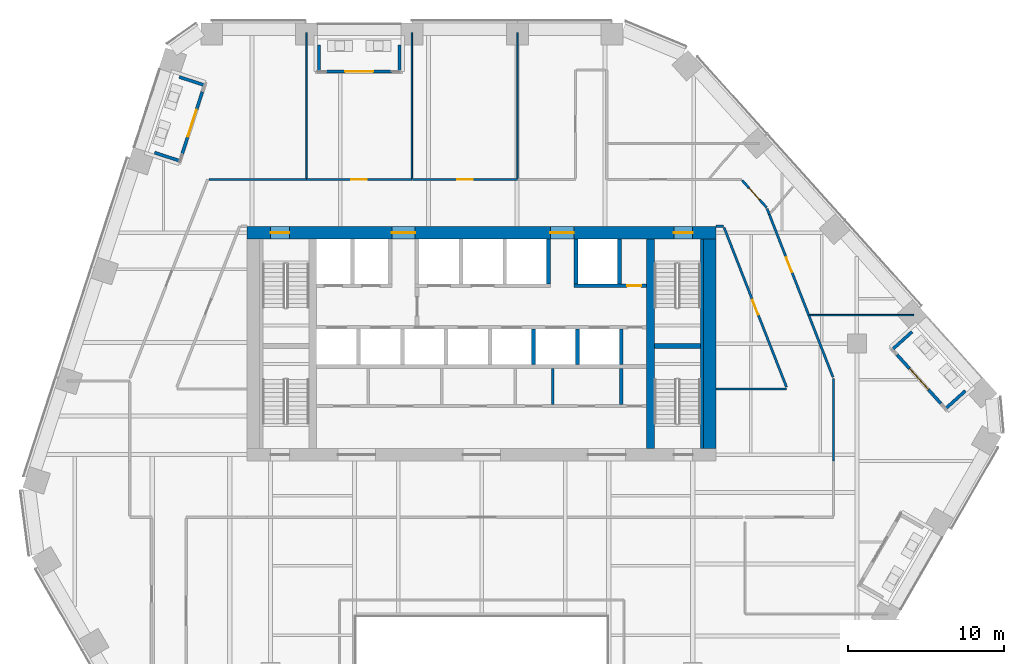
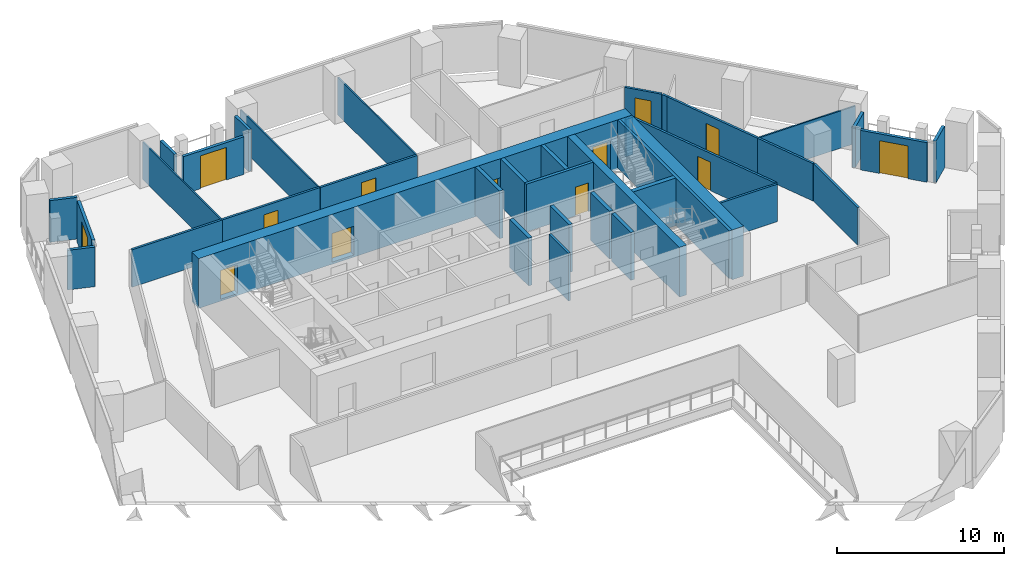
# One storey, part 21 of 26: 38 walls, 13 doors, 13 openings.
"""IFC4 building model written with IfcOpenShell, lengths in metres."""

from ifc_helpers import new_model, si_unit, direction, frame, frame_2d, origin, place, context, subcontext, project, spatial, rectangle, extrude, material, layer, layer_set, type_object, element, fill, save


model = new_model("IFC4")

# Units and contexts
model_context = context("Model", 3, precision=1e-05, world=origin(), true_north=direction((0.0, 1.0)))
body_context = subcontext(model_context, "Body", "Model", "MODEL_VIEW")
ifc_project = project(units=[si_unit("LENGTHUNIT", "METRE"), si_unit("AREAUNIT", "SQUARE_METRE"), si_unit("VOLUMEUNIT", "CUBIC_METRE"), si_unit("PLANEANGLEUNIT", "RADIAN"), si_unit("MASSUNIT", "GRAM", prefix="KILO")], contexts=[model_context])

# Site, building, storey
site_placement = place(None, origin())
site = spatial("IfcSite", under=ifc_project, at=site_placement, CompositionType="ELEMENT")
building_placement = place(site_placement, origin())
building = spatial("IfcBuilding", under=site, at=building_placement, Name="Isthmus Gate Tower", CompositionType="ELEMENT")
storey_placement = place(building_placement, frame((0.0, 0.0, 129.800048828125)))
storey = spatial("IfcBuildingStorey", under=building, at=storey_placement, Name="L31", CompositionType="ELEMENT", Elevation=129.800048828125)

# Wall
ifc_material_1 = material(Name="Gypsum board on steel studs, fire-rated", Category="steel")
ifc_layer_1 = layer(ifc_material_1, 0.14990234375)
ifc_layer_set_1 = layer_set([ifc_layer_1], Name="CORRIDOR WALL 150 60 MIN")
wall_type_1 = type_object("IfcWallType", Name="CORRIDOR WALL 150 60 MIN", PredefinedType="PARTITIONING", material=ifc_layer_set_1)
wall_1_placement = place(storey_placement, frame((15.47607421875, 15.0, 0.0), z_axis=(0.0, 0.0, 1.0), x_axis=(-1.0, 0.0, 0.0)))
element("IfcWall", 1, at=wall_1_placement, inside=storey, type_object=wall_type_1, Name="L31 Corridor Wall 150 60 Min", PredefinedType="PARTITIONING", context=body_context, shape_type="SweptSolid", body=[
    extrude(rectangle(XDim=0.47607421875, YDim=0.14990234375, at=frame_2d((0.238037109375, 0.0))), origin(), (0.0, 0.0, 1.0), 2.7412109375),
])

# Wall, opening, door
wall_2_placement = place(storey_placement, frame((19.5, 4.717041015625, 0.0), z_axis=(0.0, 0.0, 1.0), x_axis=(-0.364410260026, 0.931238509936, 0.0)))
wall_2 = element("IfcWall", 2, at=wall_2_placement, inside=storey, type_object=wall_type_1, Name="L31 Corridor Wall 150 60 Min", PredefinedType="PARTITIONING", context=body_context, shape_type="SweptSolid", body=[
    extrude(rectangle(XDim=10.96728515625, YDim=0.14990234375, at=frame_2d((5.483642578125, 0.0))), origin(), (0.0, 0.0, 1.0), 2.7412109375),
])
opening_1_placement = place(wall_2_placement, frame((4.983642578125, 0.0, 0.0)))
opening_1 = element("IfcOpeningElement", 3, at=opening_1_placement, cuts=wall_2, Name="Opening DT-T3A-06", PredefinedType="OPENING", context=body_context, shape_type="SweptSolid", body=[
    extrude(rectangle(XDim=1.0, YDim=2.10009765625, at=frame_2d((0.5, 1.050048828125))), frame((0.0, 0.0849609375, 0.0), z_axis=(0.0, -1.0, 0.0), x_axis=(1.0, 0.0, 0.0)), (0.0, 0.0, 1.0), 0.169921875),
])
ifc_material_2 = material(Name="Solid core timber door leaf, fire-rated", Category="wood")
door_type_1 = type_object("IfcDoorType", Name="FIRE DOOR ROOM 1000 X 2100 60 MIN", OperationType="SINGLE_SWING_LEFT", PredefinedType="DOOR", material=ifc_material_2)
door_1_placement = place(opening_1_placement, origin())
door_1 = element("IfcDoor", 4, at=door_1_placement, inside=storey, type_object=door_type_1, Name="L31 room door", OperationType="SINGLE_SWING_RIGHT", OverallHeight=2.10009765625, OverallWidth=1.0, PredefinedType="DOOR", context=body_context, shape_type="SweptSolid", body=[
    extrude(rectangle(XDim=1.0, YDim=2.10009765625, at=frame_2d((0.5, 1.050048828125))), frame((0.0, 0.02490234375, 0.0), z_axis=(0.0, -1.0, 0.0), x_axis=(1.0, 0.0, 0.0)), (0.0, 0.0, 1.0), 0.050048828125),
])
fill(opening_1, door_1)

# Wall
wall_3_placement = place(storey_placement, frame((22.5, 5.282958984375, 0.0), z_axis=(0.0, 0.0, 1.0), x_axis=(0.0, -1.0, 0.0)))
element("IfcWall", 5, at=wall_3_placement, inside=storey, type_object=wall_type_1, Name="L31 Corridor Wall 150 60 Min", PredefinedType="PARTITIONING", context=body_context, shape_type="SweptSolid", body=[
    extrude(rectangle(XDim=5.282958984375, YDim=0.14990234375, at=frame_2d((2.6416015625, 0.0))), origin(), (0.0, 0.0, 1.0), 2.7412109375),
])

# Wall, opening, door
wall_4_placement = place(storey_placement, frame((-11.2119140625, 18.0, 0.0), z_axis=(0.0, 0.0, 1.0), x_axis=(1.0, 0.0, 0.0)))
wall_4 = element("IfcWall", 6, at=wall_4_placement, inside=storey, type_object=wall_type_1, Name="L31 Corridor Wall 150 60 Min", PredefinedType="PARTITIONING", context=body_context, shape_type="SweptSolid", body=[
    extrude(rectangle(XDim=6.75, YDim=0.14990234375, at=frame_2d((3.375, 0.0))), origin(), (0.0, 0.0, 1.0), 2.7412109375),
])
opening_2_placement = place(wall_4_placement, frame((2.875, 0.0, 0.0)))
opening_2 = element("IfcOpeningElement", 7, at=opening_2_placement, cuts=wall_4, Name="Opening DT-T3A-01", PredefinedType="OPENING", context=body_context, shape_type="SweptSolid", body=[
    extrude(rectangle(XDim=1.0, YDim=2.10009765625, at=frame_2d((0.5, 1.050048828125))), frame((0.0, 0.0849609375, 0.0), z_axis=(0.0, -1.0, 0.0), x_axis=(1.0, 0.0, 0.0)), (0.0, 0.0, 1.0), 0.169921875),
])
door_2_placement = place(opening_2_placement, origin())
door_2 = element("IfcDoor", 8, at=door_2_placement, inside=storey, type_object=door_type_1, Name="L31 room door", OperationType="SINGLE_SWING_RIGHT", OverallHeight=2.10009765625, OverallWidth=1.0, PredefinedType="DOOR", context=body_context, shape_type="SweptSolid", body=[
    extrude(rectangle(XDim=1.0, YDim=2.10009765625, at=frame_2d((0.5, 1.050048828125))), frame((0.0, 0.02490234375, 0.0), z_axis=(0.0, -1.0, 0.0), x_axis=(1.0, 0.0, 0.0)), (0.0, 0.0, 1.0), 0.050048828125),
])
fill(opening_2, door_2)

wall_5_placement = place(storey_placement, frame((-4.412109375, 18.0, 0.0), z_axis=(0.0, 0.0, 1.0), x_axis=(1.0, 0.0, 0.0)))
wall_5 = element("IfcWall", 9, at=wall_5_placement, inside=storey, type_object=wall_type_1, Name="L31 Corridor Wall 150 60 Min", PredefinedType="PARTITIONING", context=body_context, shape_type="SweptSolid", body=[
    extrude(rectangle(XDim=6.7001953125, YDim=0.14990234375, at=frame_2d((3.35009765625, 0.0))), origin(), (0.0, 0.0, 1.0), 2.7412109375),
])
opening_3_placement = place(wall_5_placement, frame((2.85009765625, 0.0, 0.0)))
opening_3 = element("IfcOpeningElement", 10, at=opening_3_placement, cuts=wall_5, Name="Opening DT-T3A-02", PredefinedType="OPENING", context=body_context, shape_type="SweptSolid", body=[
    extrude(rectangle(XDim=1.0, YDim=2.10009765625, at=frame_2d((0.5, 1.050048828125))), frame((0.0, 0.0849609375, 0.0), z_axis=(0.0, -1.0, 0.0), x_axis=(1.0, 0.0, 0.0)), (0.0, 0.0, 1.0), 0.169921875),
])
door_3_placement = place(opening_3_placement, origin())
door_3 = element("IfcDoor", 11, at=door_3_placement, inside=storey, type_object=door_type_1, Name="L31 room door", OperationType="SINGLE_SWING_RIGHT", OverallHeight=2.10009765625, OverallWidth=1.0, PredefinedType="DOOR", context=body_context, shape_type="SweptSolid", body=[
    extrude(rectangle(XDim=1.0, YDim=2.10009765625, at=frame_2d((0.5, 1.050048828125))), frame((0.0, 0.02490234375, 0.0), z_axis=(0.0, -1.0, 0.0), x_axis=(1.0, 0.0, 0.0)), (0.0, 0.0, 1.0), 0.050048828125),
])
fill(opening_3, door_3)

# Walls
wall_6_placement = place(storey_placement, frame((-17.448974609375, 18.0, 0.0), z_axis=(0.0, 0.0, 1.0), x_axis=(1.0, 0.0, 0.0)))
element("IfcWall", 12, at=wall_6_placement, inside=storey, type_object=wall_type_1, Name="L31 Corridor Wall 150 60 Min", PredefinedType="PARTITIONING", context=body_context, shape_type="SweptSolid", body=[
    extrude(rectangle(XDim=6.237060546875, YDim=0.14990234375, at=frame_2d((3.11865234375, 0.0))), origin(), (0.0, 0.0, 1.0), 2.7412109375),
])
wall_7_placement = place(storey_placement, frame((15.0, 4.60009765625, 0.0), z_axis=(0.0, 0.0, 1.0), x_axis=(1.0, 0.0, 0.0)))
element("IfcWall", 13, at=wall_7_placement, inside=storey, type_object=wall_type_1, Name="L31 Corridor Wall 150 60 Min", PredefinedType="PARTITIONING", context=body_context, shape_type="SweptSolid", body=[
    extrude(rectangle(XDim=4.5, YDim=0.14990234375, at=frame_2d((2.25, 0.0))), origin(), (0.0, 0.0, 1.0), 2.7412109375),
])
wall_8_placement = place(storey_placement, frame((20.9189453125, 9.322998046875, 0.0), z_axis=(0.0, 0.0, 1.0), x_axis=(0.364429576393, -0.931230950865, 0.0)))
element("IfcWall", 14, at=wall_8_placement, inside=storey, type_object=wall_type_1, Name="L31 Corridor Wall 150 60 Min", PredefinedType="PARTITIONING", context=body_context, shape_type="SweptSolid", body=[
    extrude(rectangle(XDim=4.263427734375, YDim=0.14990234375, at=frame_2d((2.1318359375, 0.0))), origin(), (0.0, 0.0, 1.0), 2.7412109375),
])

# Wall, opening, door
wall_9_placement = place(storey_placement, frame((18.39990234375, 15.760009765625, 0.0), z_axis=(0.0, 0.0, 1.0), x_axis=(0.364425982763, -0.931232357195, 0.0)))
wall_9 = element("IfcWall", 15, at=wall_9_placement, inside=storey, type_object=wall_type_1, Name="L31 Corridor Wall 150 60 Min", PredefinedType="PARTITIONING", context=body_context, shape_type="SweptSolid", body=[
    extrude(rectangle(XDim=6.912353515625, YDim=0.14990234375, at=frame_2d((3.4560546875, 0.0))), origin(), (0.0, 0.0, 1.0), 2.7412109375),
])
opening_4_placement = place(wall_9_placement, frame((2.956298828125, 0.0, 0.0)))
opening_4 = element("IfcOpeningElement", 16, at=opening_4_placement, cuts=wall_9, Name="Opening DT-T3A-11", PredefinedType="OPENING", context=body_context, shape_type="SweptSolid", body=[
    extrude(rectangle(XDim=1.0, YDim=2.10009765625, at=frame_2d((0.5, 1.050048828125))), frame((0.0, 0.0849609375, 0.0), z_axis=(0.0, -1.0, 0.0), x_axis=(1.0, 0.0, 0.0)), (0.0, 0.0, 1.0), 0.169921875),
])
door_4_placement = place(opening_4_placement, origin())
door_4 = element("IfcDoor", 17, at=door_4_placement, inside=storey, type_object=door_type_1, Name="L31 room door", OperationType="SINGLE_SWING_RIGHT", OverallHeight=2.10009765625, OverallWidth=1.0, PredefinedType="DOOR", context=body_context, shape_type="SweptSolid", body=[
    extrude(rectangle(XDim=1.0, YDim=2.10009765625, at=frame_2d((0.5, 1.050048828125))), frame((0.0, 0.02490234375, 0.0), z_axis=(0.0, -1.0, 0.0), x_axis=(1.0, 0.0, 0.0)), (0.0, 0.0, 1.0), 0.050048828125),
])
fill(opening_4, door_4)

wall_10_placement = place(storey_placement, frame((16.66015625, 17.9443359375, 0.0), z_axis=(0.0, 0.0, 1.0), x_axis=(0.669103043777, -0.743169642012, 0.0)))
wall_10 = element("IfcWall", 18, at=wall_10_placement, inside=storey, type_object=wall_type_1, Name="L31 Corridor Wall 150 60 Min", PredefinedType="PARTITIONING", context=body_context, shape_type="SweptSolid", body=[
    extrude(rectangle(XDim=2.34033203125, YDim=0.14990234375, at=frame_2d((1.170166015625, 0.0))), origin(), (0.0, 0.0, 1.0), 2.7412109375),
])
opening_5_placement = place(wall_10_placement, frame((0.670166015625, 0.0, 0.0)))
opening_5 = element("IfcOpeningElement", 19, at=opening_5_placement, cuts=wall_10, Name="Opening DT-T3A-12", PredefinedType="OPENING", context=body_context, shape_type="SweptSolid", body=[
    extrude(rectangle(XDim=1.0, YDim=2.10009765625, at=frame_2d((0.5, 1.050048828125))), frame((0.0, 0.0849609375, 0.0), z_axis=(0.0, -1.0, 0.0), x_axis=(1.0, 0.0, 0.0)), (0.0, 0.0, 1.0), 0.169921875),
])
door_5_placement = place(opening_5_placement, origin())
door_5 = element("IfcDoor", 20, at=door_5_placement, inside=storey, type_object=door_type_1, Name="L31 room door", OperationType="SINGLE_SWING_RIGHT", OverallHeight=2.10009765625, OverallWidth=1.0, PredefinedType="DOOR", context=body_context, shape_type="SweptSolid", body=[
    extrude(rectangle(XDim=1.0, YDim=2.10009765625, at=frame_2d((0.5, 1.050048828125))), frame((0.0, 0.02490234375, 0.0), z_axis=(0.0, -1.0, 0.0), x_axis=(1.0, 0.0, 0.0)), (0.0, 0.0, 1.0), 0.050048828125),
])
fill(opening_5, door_5)

# Wall
wall_11_placement = place(storey_placement, frame((18.25341796875, 16.135009765625, 0.0), z_axis=(0.0, 0.0, 1.0), x_axis=(0.36385052714, -0.93145734948, 0.0)))
element("IfcWall", 21, at=wall_11_placement, inside=storey, type_object=wall_type_1, Name="L31 Corridor Wall 150 60 Min", PredefinedType="PARTITIONING", context=body_context, shape_type="SweptSolid", body=[
    extrude(rectangle(XDim=0.402587890625, YDim=0.14990234375, at=frame_2d((0.201171875, 0.0))), origin(), (0.0, 0.0, 1.0), 2.7412109375),
])

# Wall, opening, door
ifc_material_3 = material(Name="Precast concrete C40/50", Category="concrete")
ifc_layer_2 = layer(ifc_material_3, 0.199951171875)
ifc_layer_set_2 = layer_set([ifc_layer_2], Name="LOGGIA WALL 200")
wall_type_2 = type_object("IfcWallType", Name="LOGGIA WALL 200", PredefinedType="SOLIDWALL", material=ifc_layer_set_2)
wall_12_placement = place(storey_placement, frame((-5.73681640625, 24.89990234375, 0.0), z_axis=(0.0, 0.0, 1.0), x_axis=(-1.0, 0.0, 0.0)))
wall_12 = element("IfcWall", 22, at=wall_12_placement, inside=storey, type_object=wall_type_2, Name="LOGGIA BACK WALL", PredefinedType="SOLIDWALL", context=body_context, shape_type="SweptSolid", body=[
    extrude(rectangle(XDim=4.199951171875, YDim=0.199951171875, at=frame_2d((2.10009765625, 0.0))), origin(), (0.0, 0.0, 1.0), 2.750732421875),
])
opening_6_placement = place(wall_12_placement, frame((1.199951171875, 0.0, 0.0)))
opening_6 = element("IfcOpeningElement", 23, at=opening_6_placement, cuts=wall_12, Name="Opening DE31-01", PredefinedType="OPENING", context=body_context, shape_type="SweptSolid", body=[
    extrude(rectangle(XDim=1.800048828125, YDim=2.39990234375, at=frame_2d((0.89990234375, 1.199951171875))), frame((0.0, 0.10986328125, 0.0), z_axis=(0.0, -1.0, 0.0), x_axis=(1.0, 0.0, 0.0)), (0.0, 0.0, 1.0), 0.219970703125),
])
ifc_material_4 = material(Name="Aluminium, pale champagne anodised, laminated glass", Category="aluminium")
door_type_2 = type_object("IfcDoorType", Name="LOGGIA DOOR SLIDING 1800 X 2400", OperationType="DOUBLE_DOOR_SLIDING", PredefinedType="DOOR", material=ifc_material_4)
door_6_placement = place(opening_6_placement, origin())
door_6 = element("IfcDoor", 24, at=door_6_placement, inside=storey, type_object=door_type_2, Name="DOOR DE31-01", OperationType="SINGLE_SWING_LEFT", OverallHeight=2.39990234375, OverallWidth=1.800048828125, PredefinedType="DOOR", context=body_context, shape_type="SweptSolid", body=[
    extrude(rectangle(XDim=1.800048828125, YDim=2.39990234375, at=frame_2d((0.89990234375, 1.199951171875))), frame((0.0, 0.02490234375, 0.0), z_axis=(0.0, -1.0, 0.0), x_axis=(1.0, 0.0, 0.0)), (0.0, 0.0, 1.0), 0.050048828125),
])
fill(opening_6, door_6)

# Walls
for number, where, z_axis, x_axis, name in (
    (25, (-5.26171875, 26.60009765625, 0.0), (0.0, 0.0, 1.0), (0.0, -1.0, 0.0), "LOGGIA SIDE WALL"),
    (26, (-10.411865234375, 26.60009765625, 0.0), (0.0, 0.0, 1.0), (0.0, -1.0, 0.0), "LOGGIA SIDE WALL"),
):
    element("IfcWall", number, at=place(storey_placement, frame(where, z_axis=z_axis, x_axis=x_axis)), inside=storey, type_object=wall_type_2, Name=name, PredefinedType="SOLIDWALL", context=body_context, shape_type="SweptSolid", body=[
        extrude(rectangle(XDim=1.68408203125, YDim=0.199951171875, at=frame_2d((0.842041015625, 0.0))), origin(), (0.0, 0.0, 1.0), 3.050048828125),
    ])

# Wall, opening, door
wall_13_placement = place(storey_placement, frame((-17.86767578125, 23.60693359375, 0.0), z_axis=(0.0, 0.0, 1.0), x_axis=(-0.308999325213, -0.951062257173, 0.0)))
wall_13 = element("IfcWall", 27, at=wall_13_placement, inside=storey, type_object=wall_type_2, Name="LOGGIA BACK WALL", PredefinedType="SOLIDWALL", context=body_context, shape_type="SweptSolid", body=[
    extrude(rectangle(XDim=4.2001953125, YDim=0.199951171875, at=frame_2d((2.10009765625, 0.0))), origin(), (0.0, 0.0, 1.0), 3.050048828125),
])
opening_7_placement = place(wall_13_placement, frame((1.199951171875, 0.0, 0.0)))
opening_7 = element("IfcOpeningElement", 28, at=opening_7_placement, cuts=wall_13, Name="Opening DE31-02", PredefinedType="OPENING", context=body_context, shape_type="SweptSolid", body=[
    extrude(rectangle(XDim=1.800048828125, YDim=2.39990234375, at=frame_2d((0.89990234375, 1.199951171875))), frame((0.0, 0.10986328125, 0.0), z_axis=(0.0, -1.0, 0.0), x_axis=(1.0, 0.0, 0.0)), (0.0, 0.0, 1.0), 0.219970703125),
])
door_7_placement = place(opening_7_placement, origin())
door_7 = element("IfcDoor", 29, at=door_7_placement, inside=storey, type_object=door_type_2, Name="DOOR DE31-02", OperationType="SINGLE_SWING_LEFT", OverallHeight=2.39990234375, OverallWidth=1.800048828125, PredefinedType="DOOR", context=body_context, shape_type="SweptSolid", body=[
    extrude(rectangle(XDim=1.800048828125, YDim=2.39990234375, at=frame_2d((0.89990234375, 1.199951171875))), frame((0.0, 0.02490234375, 0.0), z_axis=(0.0, -1.0, 0.0), x_axis=(1.0, 0.0, 0.0)), (0.0, 0.0, 1.0), 0.050048828125),
])
fill(opening_7, door_7)

# Walls
wall_14_placement = place(storey_placement, frame((-19.346923828125, 24.5556640625, 0.0), z_axis=(0.0, 0.0, 1.0), x_axis=(0.951076677115, -0.308954938862, 0.0)))
element("IfcWall", 30, at=wall_14_placement, inside=storey, type_object=wall_type_2, Name="LOGGIA SIDE WALL", PredefinedType="SOLIDWALL", context=body_context, shape_type="SweptSolid", body=[
    extrude(rectangle(XDim=1.683837890625, YDim=0.199951171875, at=frame_2d((0.841796875, 0.0))), origin(), (0.0, 0.0, 1.0), 3.050048828125),
])
wall_15_placement = place(storey_placement, frame((-20.919921875, 19.714111328125, 0.0), z_axis=(0.0, 0.0, 1.0), x_axis=(0.951034068731, -0.309086072338, 0.0)))
element("IfcWall", 31, at=wall_15_placement, inside=storey, type_object=wall_type_2, Name="LOGGIA SIDE WALL", PredefinedType="SOLIDWALL", context=body_context, shape_type="SweptSolid", body=[
    extrude(rectangle(XDim=1.68408203125, YDim=0.199951171875, at=frame_2d((0.842041015625, 0.0))), origin(), (0.0, 0.0, 1.0), 2.896728515625),
])

# Wall, opening, door
wall_16_placement = place(storey_placement, frame((29.3779296875, 3.67041015625, 0.0), z_axis=(0.0, 0.0, 1.0), x_axis=(-0.669109235636, 0.743164067206, 0.0)))
wall_16 = element("IfcWall", 32, at=wall_16_placement, inside=storey, type_object=wall_type_2, Name="LOGGIA BACK WALL", PredefinedType="SOLIDWALL", context=body_context, shape_type="SweptSolid", body=[
    extrude(rectangle(XDim=4.199951171875, YDim=0.199951171875, at=frame_2d((2.10009765625, 0.0))), origin(), (0.0, 0.0, 1.0), 2.89990234375),
])
opening_8_placement = place(wall_16_placement, frame((1.199951171875, 0.0, 0.0)))
opening_8 = element("IfcOpeningElement", 33, at=opening_8_placement, cuts=wall_16, Name="Opening DE31-05", PredefinedType="OPENING", context=body_context, shape_type="SweptSolid", body=[
    extrude(rectangle(XDim=1.800048828125, YDim=2.39990234375, at=frame_2d((0.89990234375, 1.199951171875))), frame((0.0, 0.10986328125, 0.0), z_axis=(0.0, -1.0, 0.0), x_axis=(1.0, 0.0, 0.0)), (0.0, 0.0, 1.0), 0.219970703125),
])
door_8_placement = place(opening_8_placement, origin())
door_8 = element("IfcDoor", 34, at=door_8_placement, inside=storey, type_object=door_type_2, Name="DOOR DE31-05", OperationType="SINGLE_SWING_LEFT", OverallHeight=2.39990234375, OverallWidth=1.800048828125, PredefinedType="DOOR", context=body_context, shape_type="SweptSolid", body=[
    extrude(rectangle(XDim=1.800048828125, YDim=2.39990234375, at=frame_2d((0.89990234375, 1.199951171875))), frame((0.0, 0.02490234375, 0.0), z_axis=(0.0, -1.0, 0.0), x_axis=(1.0, 0.0, 0.0)), (0.0, 0.0, 1.0), 0.050048828125),
])
fill(opening_8, door_8)

# Walls
wall_17_placement = place(storey_placement, frame((30.939453125, 4.47705078125, 0.0), z_axis=(0.0, 0.0, 1.0), x_axis=(-0.743106699699, -0.6691729469, 0.0)))
element("IfcWall", 35, at=wall_17_placement, inside=storey, type_object=wall_type_2, Name="LOGGIA SIDE WALL", PredefinedType="SOLIDWALL", context=body_context, shape_type="SweptSolid", body=[
    extrude(rectangle(XDim=1.68408203125, YDim=0.199951171875, at=frame_2d((0.842041015625, 0.0))), origin(), (0.0, 0.0, 1.0), 3.050048828125),
])
wall_18_placement = place(storey_placement, frame((27.532958984375, 8.26025390625, 0.0), z_axis=(0.0, 0.0, 1.0), x_axis=(-0.743106699699, -0.6691729469, 0.0)))
element("IfcWall", 36, at=wall_18_placement, inside=storey, type_object=wall_type_2, Name="LOGGIA SIDE WALL", PredefinedType="SOLIDWALL", context=body_context, shape_type="SweptSolid", body=[
    extrude(rectangle(XDim=1.68408203125, YDim=0.199951171875, at=frame_2d((0.842041015625, 0.0))), origin(), (0.0, 0.0, 1.0), 2.966552734375),
])
ifc_material_5 = material(Name="Concrete f'c 60 MPa", Category="concrete")
ifc_layer_3 = layer(ifc_material_5, 0.5)
ifc_layer_set_3 = layer_set([ifc_layer_3], Name="RC CORE SPINE WALL 500 F'C 60")
wall_type_3 = type_object("IfcWallType", Name="RC CORE SPINE WALL 500 F'C 60", PredefinedType="SOLIDWALL", material=ifc_layer_set_3)
wall_19_placement = place(storey_placement, frame((10.800048828125, 0.800048828125, -0.150146484375), z_axis=(0.0, 0.0, 1.0), x_axis=(0.0, 1.0, 0.0)))
element("IfcWall", 37, at=wall_19_placement, inside=storey, type_object=wall_type_3, Name="str-corewall-L31-SPE", PredefinedType="SOLIDWALL", context=body_context, shape_type="SweptSolid", body=[
    extrude(rectangle(XDim=13.39990234375, YDim=0.5, at=frame_2d((6.699951171875, 0.0))), origin(), (0.0, 0.0, 1.0), 3.650146484375),
])

# Wall, openings, doors
ifc_material_6 = material(Name="Concrete f'c 60 MPa", Category="concrete")
ifc_layer_4 = layer(ifc_material_6, 0.800048828125)
ifc_layer_set_4 = layer_set([ifc_layer_4], Name="RC CORE WALL 800 F'C 60")
wall_type_4 = type_object("IfcWallType", Name="RC CORE WALL 800 F'C 60", PredefinedType="SOLIDWALL", material=ifc_layer_set_4)
wall_20_placement = place(storey_placement, frame((-15.0, 14.60009765625, -0.150146484375), z_axis=(0.0, 0.0, 1.0), x_axis=(1.0, 0.0, 0.0)))
wall_20 = element("IfcWall", 38, at=wall_20_placement, inside=storey, type_object=wall_type_4, Name="str-corewall-L31-N", PredefinedType="SOLIDWALL", context=body_context, shape_type="SweptSolid", body=[
    extrude(rectangle(XDim=30.0, YDim=0.800048828125, at=frame_2d((15.0, 0.0))), origin(), (0.0, 0.0, 1.0), 3.650146484375),
])
opening_9_placement = place(wall_20_placement, frame((9.25, 0.0, 0.14990234375)))
opening_9 = element("IfcOpeningElement", 39, at=opening_9_placement, cuts=wall_20, Name="Opening DC-A10-13", PredefinedType="OPENING", context=body_context, shape_type="SweptSolid", body=[
    extrude(rectangle(XDim=1.5, YDim=2.10009765625, at=frame_2d((0.75, 1.050048828125))), frame((0.0, 0.409912109375, 0.0), z_axis=(0.0, -1.0, 0.0), x_axis=(1.0, 0.0, 0.0)), (0.0, 0.0, 1.0), 0.820068359375),
])
opening_10_placement = place(wall_20_placement, frame((19.39990234375, 0.0, 0.14990234375)))
opening_10 = element("IfcOpeningElement", 40, at=opening_10_placement, cuts=wall_20, Name="Opening DC-A10-14", PredefinedType="OPENING", context=body_context, shape_type="SweptSolid", body=[
    extrude(rectangle(XDim=1.5, YDim=2.10009765625, at=frame_2d((0.75, 1.050048828125))), frame((0.0, 0.409912109375, 0.0), z_axis=(0.0, -1.0, 0.0), x_axis=(1.0, 0.0, 0.0)), (0.0, 0.0, 1.0), 0.820068359375),
])
opening_11_placement = place(wall_20_placement, frame((1.5, 0.0, 0.14990234375)))
opening_11 = element("IfcOpeningElement", 41, at=opening_11_placement, cuts=wall_20, Name="Opening DC-A10-15", PredefinedType="OPENING", context=body_context, shape_type="SweptSolid", body=[
    extrude(rectangle(XDim=1.199951171875, YDim=2.10009765625, at=frame_2d((0.60009765625, 1.050048828125))), frame((0.0, 0.409912109375, 0.0), z_axis=(0.0, -1.0, 0.0), x_axis=(1.0, 0.0, 0.0)), (0.0, 0.0, 1.0), 0.820068359375),
])
opening_12_placement = place(wall_20_placement, frame((27.300048828125, 0.0, 0.14990234375)))
opening_12 = element("IfcOpeningElement", 42, at=opening_12_placement, cuts=wall_20, Name="Opening DC-A10-16", PredefinedType="OPENING", context=body_context, shape_type="SweptSolid", body=[
    extrude(rectangle(XDim=1.199951171875, YDim=2.10009765625, at=frame_2d((0.60009765625, 1.050048828125))), frame((0.0, 0.409912109375, 0.0), z_axis=(0.0, -1.0, 0.0), x_axis=(1.0, 0.0, 0.0)), (0.0, 0.0, 1.0), 0.820068359375),
])
ifc_material_7 = material(Name="Steel door leaf, fire-rated", Category="steel")
door_type_3 = type_object("IfcDoorType", Name="LOBBY FIRE DOOR 1500 X 2100 60 MIN", OperationType="DOUBLE_DOOR_SINGLE_SWING", PredefinedType="DOOR", material=ifc_material_7)
door_9_placement = place(opening_10_placement, origin())
door_9 = element("IfcDoor", 43, at=door_9_placement, inside=storey, type_object=door_type_3, Name="Lobby Door PN-E", OperationType="DOUBLE_DOOR_SINGLE_SWING", OverallHeight=2.10009765625, OverallWidth=1.5, PredefinedType="DOOR", context=body_context, shape_type="SweptSolid", body=[
    extrude(rectangle(XDim=1.5, YDim=2.10009765625, at=frame_2d((0.75, 1.050048828125))), frame((0.0, 0.02490234375, 0.0), z_axis=(0.0, -1.0, 0.0), x_axis=(1.0, 0.0, 0.0)), (0.0, 0.0, 1.0), 0.050048828125),
])
fill(opening_10, door_9)
ifc_material_8 = material(Name="Steel door leaf, fire-rated", Category="steel")
door_type_4 = type_object("IfcDoorType", Name="LOBBY FIRE DOOR 1500 X 2100 90 MIN", OperationType="DOUBLE_DOOR_SINGLE_SWING", PredefinedType="DOOR", material=ifc_material_8)
door_10_placement = place(opening_9_placement, origin())
door_10 = element("IfcDoor", 44, at=door_10_placement, inside=storey, type_object=door_type_4, Name="Lobby Door PN-W", OperationType="DOUBLE_DOOR_SINGLE_SWING", OverallHeight=2.10009765625, OverallWidth=1.5, PredefinedType="DOOR", context=body_context, shape_type="SweptSolid", body=[
    extrude(rectangle(XDim=1.5, YDim=2.10009765625, at=frame_2d((0.75, 1.050048828125))), frame((0.0, 0.02490234375, 0.0), z_axis=(0.0, -1.0, 0.0), x_axis=(1.0, 0.0, 0.0)), (0.0, 0.0, 1.0), 0.050048828125),
])
fill(opening_9, door_10)
ifc_material_9 = material(Name="Steel door leaf, fire-rated", Category="steel")
door_type_5 = type_object("IfcDoorType", Name="STAIR FIRE DOOR 1200 X 2100 90 MIN", OperationType="SINGLE_SWING_LEFT", PredefinedType="DOOR", material=ifc_material_9)
door_11_placement = place(opening_11_placement, origin())
door_11 = element("IfcDoor", 45, at=door_11_placement, inside=storey, type_object=door_type_5, Name="Exit Stair 1 Door", OperationType="SINGLE_SWING_RIGHT", OverallHeight=2.10009765625, OverallWidth=1.199951171875, PredefinedType="DOOR", context=body_context, shape_type="SweptSolid", body=[
    extrude(rectangle(XDim=1.199951171875, YDim=2.10009765625, at=frame_2d((0.60009765625, 1.050048828125))), frame((0.0, 0.02490234375, 0.0), z_axis=(0.0, -1.0, 0.0), x_axis=(1.0, 0.0, 0.0)), (0.0, 0.0, 1.0), 0.050048828125),
])
fill(opening_11, door_11)
door_12_placement = place(opening_12_placement, origin())
door_12 = element("IfcDoor", 46, at=door_12_placement, inside=storey, type_object=door_type_5, Name="Exit Stair 2 Door", OperationType="SINGLE_SWING_LEFT", OverallHeight=2.10009765625, OverallWidth=1.199951171875, PredefinedType="DOOR", context=body_context, shape_type="SweptSolid", body=[
    extrude(rectangle(XDim=1.199951171875, YDim=2.10009765625, at=frame_2d((0.60009765625, 1.050048828125))), frame((0.0, 0.02490234375, 0.0), z_axis=(0.0, -1.0, 0.0), x_axis=(1.0, 0.0, 0.0)), (0.0, 0.0, 1.0), 0.050048828125),
])
fill(opening_12, door_12)

# Walls
wall_21_placement = place(storey_placement, frame((14.60009765625, 0.800048828125, -0.150146484375), z_axis=(0.0, 0.0, 1.0), x_axis=(0.0, 1.0, 0.0)))
element("IfcWall", 47, at=wall_21_placement, inside=storey, type_object=wall_type_4, Name="str-corewall-L31-E", PredefinedType="SOLIDWALL", context=body_context, shape_type="SweptSolid", body=[
    extrude(rectangle(XDim=13.39990234375, YDim=0.800048828125, at=frame_2d((6.699951171875, 0.0))), origin(), (0.0, 0.0, 1.0), 3.650146484375),
])
ifc_material_10 = material(Name="Gypsum board on steel studs, fire-rated", Category="steel")
ifc_layer_5 = layer(ifc_material_10, 0.10009765625)
ifc_layer_set_5 = layer_set([ifc_layer_5], Name="ROOM PARTITION 100 30 MIN")
wall_type_5 = type_object("IfcWallType", Name="ROOM PARTITION 100 30 MIN", PredefinedType="PARTITIONING", material=ifc_layer_set_5)
for number, where, z_axis, x_axis, name in (
    (48, (-4.4619140625, 18.074951171875, 0.0), (0.0, 0.0, 1.0), (0.0, 1.0, 0.0), "L31 Room Partition 100 30 Min"),
    (49, (2.2880859375, 18.074951171875, 0.0), (0.0, 0.0, 1.0), (0.0, 1.0, 0.0), "L31 Room Partition 100 30 Min"),
    (50, (-11.2119140625, 18.074951171875, 0.0), (0.0, 0.0, 1.0), (0.0, 1.0, 0.0), "L31 Room Partition 100 30 Min"),
):
    element("IfcWall", number, at=place(storey_placement, frame(where, z_axis=z_axis, x_axis=x_axis)), inside=storey, type_object=wall_type_5, Name=name, PredefinedType="PARTITIONING", context=body_context, shape_type="SweptSolid", body=[
        extrude(rectangle(XDim=9.324951171875, YDim=0.10009765625, at=frame_2d((4.66259765625, 0.0))), origin(), (0.0, 0.0, 1.0), 2.7412109375),
    ])
wall_22_placement = place(storey_placement, frame((20.99951171875, 9.322998046875, 0.0), z_axis=(0.0, 0.0, 1.0), x_axis=(1.0, 0.0, 0.0)))
element("IfcWall", 51, at=wall_22_placement, inside=storey, type_object=wall_type_5, Name="L31 Room Partition 100 30 Min", PredefinedType="PARTITIONING", context=body_context, shape_type="SweptSolid", body=[
    extrude(rectangle(XDim=6.652587890625, YDim=0.10009765625, at=frame_2d((3.326171875, 0.0))), origin(), (0.0, 0.0, 1.0), 2.7412109375),
])
ifc_material_11 = material(Name="Gypsum board on steel studs, fire-rated", Category="steel")
ifc_layer_6 = layer(ifc_material_11, 0.14990234375)
ifc_layer_set_6 = layer_set([ifc_layer_6], Name="ROOM PARTITION 150 60 MIN")
wall_type_6 = type_object("IfcWallType", Name="ROOM PARTITION 150 60 MIN", PredefinedType="PARTITIONING", material=ifc_layer_set_6)
wall_23_placement = place(storey_placement, frame((4.550048828125, 3.60009765625, 0.0), z_axis=(0.0, 0.0, 1.0), x_axis=(0.0, 1.0, 0.0)))
element("IfcWall", 52, at=wall_23_placement, inside=storey, type_object=wall_type_6, Name="L31 ROOM PARTITION 150 60 MIN", PredefinedType="PARTITIONING", context=body_context, shape_type="SweptSolid", body=[
    extrude(rectangle(XDim=2.2998046875, YDim=0.14990234375, at=frame_2d((1.14990234375, 0.0))), origin(), (0.0, 0.0, 1.0), 3.5),
])

# Wall, opening, door
ifc_material_12 = material(Name="Fire-rated blockwork masonry, 15 MPa", Category="masonry")
ifc_layer_7 = layer(ifc_material_12, 0.199951171875)
ifc_layer_set_7 = layer_set([ifc_layer_7], Name="SHAFT FRONT WALL 200 120 MIN")
wall_type_7 = type_object("IfcWallType", Name="SHAFT FRONT WALL 200 120 MIN", PredefinedType="PARTITIONING", material=ifc_layer_set_7)
wall_24_placement = place(storey_placement, frame((5.89990234375, 11.199951171875, 0.0), z_axis=(0.0, 0.0, 1.0), x_axis=(1.0, 0.0, 0.0)))
wall_24 = element("IfcWall", 53, at=wall_24_placement, inside=storey, type_object=wall_type_7, Name="L31 SHAFT FRONT WALL 200 120 MIN", PredefinedType="PARTITIONING", context=body_context, shape_type="SweptSolid", body=[
    extrude(rectangle(XDim=4.650146484375, YDim=0.199951171875, at=frame_2d((2.3251953125, 0.0))), origin(), (0.0, 0.0, 1.0), 3.5),
])
opening_13_placement = place(wall_24_placement, frame((3.39990234375, 0.0, 0.0)))
opening_13 = element("IfcOpeningElement", 54, at=opening_13_placement, cuts=wall_24, Name="Opening DC-A10-09", PredefinedType="OPENING", context=body_context, shape_type="SweptSolid", body=[
    extrude(rectangle(XDim=0.89990234375, YDim=2.10009765625, at=frame_2d((0.449951171875, 1.050048828125))), frame((0.0, 0.10986328125, 0.0), z_axis=(0.0, -1.0, 0.0), x_axis=(1.0, 0.0, 0.0)), (0.0, 0.0, 1.0), 0.219970703125),
])
ifc_material_13 = material(Name="Steel door leaf, fire-rated", Category="steel")
door_type_6 = type_object("IfcDoorType", Name="RISER FIRE DOOR 900 X 2100 90 MIN", OperationType="SINGLE_SWING_LEFT", PredefinedType="DOOR", material=ifc_material_13)
door_13_placement = place(opening_13_placement, origin())
door_13 = element("IfcDoor", 55, at=door_13_placement, inside=storey, type_object=door_type_6, Name="Riser Door", OperationType="SINGLE_SWING_LEFT", OverallHeight=2.10009765625, OverallWidth=0.89990234375, PredefinedType="DOOR", context=body_context, shape_type="SweptSolid", body=[
    extrude(rectangle(XDim=0.89990234375, YDim=2.10009765625, at=frame_2d((0.449951171875, 1.050048828125))), frame((0.0, 0.02490234375, 0.0), z_axis=(0.0, -1.0, 0.0), x_axis=(1.0, 0.0, 0.0)), (0.0, 0.0, 1.0), 0.050048828125),
])
fill(opening_13, door_13)

# Walls
ifc_material_14 = material(Name="Fire-rated blockwork masonry, 15 MPa", Category="masonry")
ifc_layer_8 = layer(ifc_material_14, 0.25)
ifc_layer_set_8 = layer_set([ifc_layer_8], Name="SHAFT WALL 250 120 MIN")
wall_type_8 = type_object("IfcWallType", Name="SHAFT WALL 250 120 MIN", PredefinedType="PARTITIONING", material=ifc_layer_set_8)
wall_25_placement = place(storey_placement, frame((8.925048828125, 3.60009765625, 0.0), z_axis=(0.0, 0.0, 1.0), x_axis=(0.0, 1.0, 0.0)))
element("IfcWall", 56, at=wall_25_placement, inside=storey, type_object=wall_type_8, Name="L31 SHAFT WALL 250 120 MIN", PredefinedType="PARTITIONING", context=body_context, shape_type="SweptSolid", body=[
    extrude(rectangle(XDim=2.2998046875, YDim=0.25, at=frame_2d((1.14990234375, 0.0))), origin(), (0.0, 0.0, 1.0), 3.5),
])
for number, where, z_axis, x_axis, name in (
    (57, (3.324951171875, 6.14990234375, 0.0), (0.0, 0.0, 1.0), (0.0, 1.0, 0.0), "L31 SHAFT WALL 250 120 MIN"),
    (58, (6.125, 6.14990234375, 0.0), (0.0, 0.0, 1.0), (0.0, 1.0, 0.0), "L31 SHAFT WALL 250 120 MIN"),
    (59, (8.925048828125, 6.14990234375, 0.0), (0.0, 0.0, 1.0), (0.0, 1.0, 0.0), "L31 SHAFT WALL 250 120 MIN"),
):
    element("IfcWall", number, at=place(storey_placement, frame(where, z_axis=z_axis, x_axis=x_axis)), inside=storey, type_object=wall_type_8, Name=name, PredefinedType="PARTITIONING", context=body_context, shape_type="SweptSolid", body=[
        extrude(rectangle(XDim=2.300048828125, YDim=0.25, at=frame_2d((1.14990234375, 0.0))), origin(), (0.0, 0.0, 1.0), 3.5),
    ])
for number, where, z_axis, x_axis, name in (
    (60, (4.27490234375, 11.300048828125, 0.0), (0.0, 0.0, 1.0), (0.0, 1.0, 0.0), "L31 SHAFT WALL 250 120 MIN"),
    (61, (6.02490234375, 11.300048828125, 0.0), (0.0, 0.0, 1.0), (0.0, 1.0, 0.0), "L31 SHAFT WALL 250 120 MIN"),
    (62, (8.824951171875, 11.300048828125, 0.0), (0.0, 0.0, 1.0), (0.0, 1.0, 0.0), "L31 SHAFT WALL 250 120 MIN"),
):
    element("IfcWall", number, at=place(storey_placement, frame(where, z_axis=z_axis, x_axis=x_axis)), inside=storey, type_object=wall_type_8, Name=name, PredefinedType="PARTITIONING", context=body_context, shape_type="SweptSolid", body=[
        extrude(rectangle(XDim=2.89990234375, YDim=0.25, at=frame_2d((1.449951171875, 0.0))), origin(), (0.0, 0.0, 1.0), 3.5),
    ])
ifc_material_15 = material(Name="Concrete f'c 40 MPa", Category="concrete")
ifc_layer_9 = layer(ifc_material_15, 0.199951171875)
ifc_layer_set_9 = layer_set([ifc_layer_9], Name="STAIR ENCLOSURE WALL 200 180 MIN")
wall_type_9 = type_object("IfcWallType", Name="STAIR ENCLOSURE WALL 200 180 MIN", PredefinedType="SOLIDWALL", material=ifc_layer_set_9)
wall_26_placement = place(storey_placement, frame((14.10009765625, 0.800048828125, 0.0), z_axis=(0.0, 0.0, 1.0), x_axis=(0.0, 1.0, 0.0)))
element("IfcWall", 63, at=wall_26_placement, inside=storey, type_object=wall_type_9, Name="L31 STAIR ENCLOSURE WALL 200 180 MIN", PredefinedType="SOLIDWALL", context=body_context, shape_type="SweptSolid", body=[
    extrude(rectangle(XDim=13.39990234375, YDim=0.199951171875, at=frame_2d((6.699951171875, 0.0))), origin(), (0.0, 0.0, 1.0), 3.5),
])
ifc_material_16 = material(Name="Concrete f'c 40 MPa", Category="concrete")
ifc_layer_10 = layer(ifc_material_16, 0.300048828125)
ifc_layer_set_10 = layer_set([ifc_layer_10], Name="STAIR ENCLOSURE WALL 300 180 MIN")
wall_type_10 = type_object("IfcWallType", Name="STAIR ENCLOSURE WALL 300 180 MIN", PredefinedType="SOLIDWALL", material=ifc_layer_set_10)
wall_27_placement = place(storey_placement, frame((11.050048828125, 7.35009765625, 0.0), z_axis=(0.0, 0.0, 1.0), x_axis=(1.0, 0.0, 0.0)))
element("IfcWall", 64, at=wall_27_placement, inside=storey, type_object=wall_type_10, Name="L31 STAIR ENCLOSURE WALL 300 180 MIN", PredefinedType="SOLIDWALL", context=body_context, shape_type="SweptSolid", body=[
    extrude(rectangle(XDim=2.949951171875, YDim=0.300048828125, at=frame_2d((1.47509765625, 0.0))), origin(), (0.0, 0.0, 1.0), 3.5),
])

save(model, "model.ifc")
